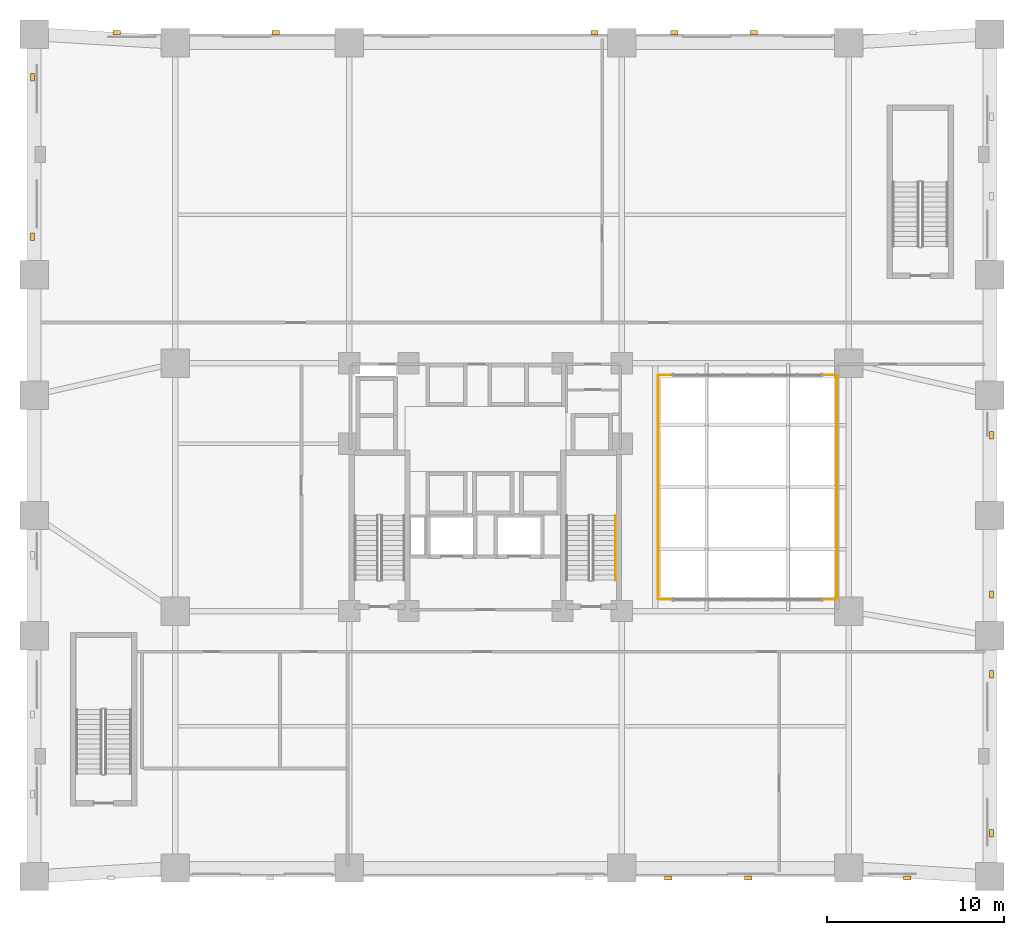
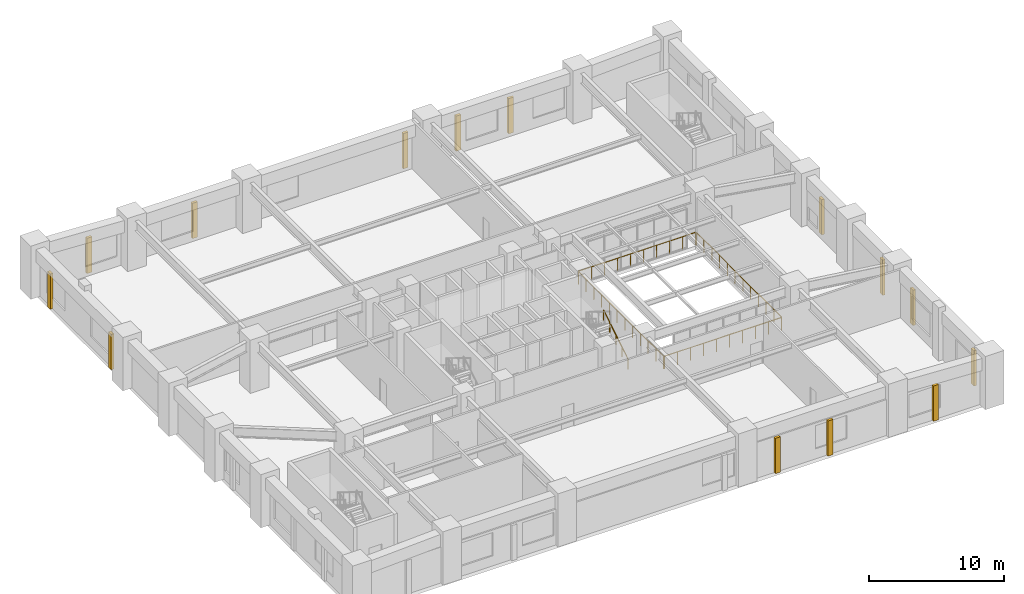
# One storey, part 10 of 11: 14 coverings, 5 railings.
"""IFC4 building model written with IfcOpenShell, lengths in metres."""

import ifcopenshell
import ifcopenshell.guid

model = None  # the IFC model being written
_history = None  # IfcOwnerHistory: only IFC2X3 demands one
_inside = {}  # id of a spatial element -> (the spatial element, [elements in it])
_under = {}  # id of a project, library or spatial element -> (it, [spatial elements below it])
_declared = {}  # id of a project -> (the project, [libraries it declares])
_typed = {}  # id of a type object -> (the type object, [elements of that type])
_made_of = {}  # id of a material, layer set ... -> (it, [elements and type objects made of it])


def new_model(schema):
    """Start an empty IFC model of exactly this schema.

    Asked for "IFC4X3", IfcOpenShell would pick the latest addendum, in which some entities
    have other attributes; the version numbers below select the first issue.
    IFC2X3 requires an IfcOwnerHistory on every rooted entity: one is made here for all.
    """
    global model, _history
    if schema == "IFC4X3":
        model = ifcopenshell.file(schema_version=(4, 3, 0, 0))
    else:
        model = ifcopenshell.file(schema=schema)
    _inside.clear()
    _under.clear()
    _declared.clear()
    _typed.clear()
    _made_of.clear()
    _history = None
    if model.schema == "IFC2X3":
        org = make("IfcOrganization", Name="unknown")
        user = make(
            "IfcPersonAndOrganization",
            ThePerson=make("IfcPerson", FamilyName="unknown"),
            TheOrganization=org,
        )
        app = make(
            "IfcApplication",
            ApplicationDeveloper=org,
            Version="unknown",
            ApplicationFullName="unknown",
            ApplicationIdentifier="unknown",
        )
        _history = make(
            "IfcOwnerHistory",
            OwningUser=user,
            OwningApplication=app,
            ChangeAction="ADDED",
            CreationDate=0,
        )
    return model


def make(cls, **values):
    """One entity of the class cls with the attributes given. An attribute that is None is left unset."""
    return model.create_entity(
        cls, **{name: value for name, value in values.items() if value is not None}
    )


def rooted(cls, **values):
    """An entity with a GlobalId (a new one), such as an element, a storey or a relation."""
    return make(cls, GlobalId=ifcopenshell.guid.new(), OwnerHistory=_history, **values)


def si_unit(unit_type, name, prefix=None):
    """IfcSIUnit, for example si_unit("LENGTHUNIT", "METRE", prefix="MILLI")."""
    return make("IfcSIUnit", UnitType=unit_type, Prefix=prefix, Name=name)


def derived_unit(unit_type, elements):
    """IfcDerivedUnit: a product of units, each with its exponent."""
    return make(
        "IfcDerivedUnit",
        Elements=[
            make("IfcDerivedUnitElement", Unit=unit, Exponent=power)
            for unit, power in elements
        ],
        UnitType=unit_type,
    )


def assignment(units):
    """IfcUnitAssignment: the units of a project."""
    return None if units is None else make("IfcUnitAssignment", Units=units)


def point(xyz):
    """IfcCartesianPoint."""
    return None if xyz is None else make("IfcCartesianPoint", Coordinates=xyz)


def direction(xyz):
    """IfcDirection."""
    return None if xyz is None else make("IfcDirection", DirectionRatios=xyz)


def frame(location, z_axis=None, x_axis=None):
    """IfcAxis2Placement3D, a coordinate frame: its origin and axes. An axis left out is left unset."""
    return make(
        "IfcAxis2Placement3D",
        Location=point(location),
        Axis=direction(z_axis),
        RefDirection=direction(x_axis),
    )


def frame_2d(location, x_axis=None):
    """IfcAxis2Placement2D, a coordinate frame in the plane: its origin and x axis."""
    return make(
        "IfcAxis2Placement2D", Location=point(location), RefDirection=direction(x_axis)
    )


def origin():
    """The frame at (0, 0, 0) with its axes left unset."""
    return frame((0.0, 0.0, 0.0))


def origin_2d():
    """The frame at (0, 0) in the plane with its x axis left unset."""
    return frame_2d((0.0, 0.0))


def place(relative_to, where):
    """IfcLocalPlacement: puts the frame where relative to a parent placement (None: the world)."""
    return make(
        "IfcLocalPlacement", PlacementRelTo=relative_to, RelativePlacement=where
    )


def context(
    kind, dimensions, precision=None, world=None, true_north=None, identifier=None
):
    """IfcGeometricRepresentationContext, for example the 3D "Model" context."""
    return make(
        "IfcGeometricRepresentationContext",
        ContextIdentifier=identifier,
        ContextType=kind,
        CoordinateSpaceDimension=dimensions,
        Precision=precision,
        WorldCoordinateSystem=world,
        TrueNorth=true_north,
    )


def subcontext(parent, identifier, kind, view, scale=None):
    """IfcGeometricRepresentationSubContext, for example "Body" below "Model"."""
    return make(
        "IfcGeometricRepresentationSubContext",
        ContextIdentifier=identifier,
        ContextType=kind,
        ParentContext=parent,
        TargetScale=scale,
        TargetView=view,
    )


def project(units=None, contexts=None):
    """IfcProject with its units and contexts."""
    return rooted(
        "IfcProject",
        Name="project",
        RepresentationContexts=contexts,
        UnitsInContext=assignment(units),
    )


def spatial(cls, under=None, at=None, **own):
    """A site, building, storey or space (cls), placed at a placement, below another one or the project."""
    s = rooted(cls, ObjectPlacement=at, **own)
    if under is not None:
        _under.setdefault(under.id(), (under, []))[1].append(s)
    return s


def profile(cls, at=None, kind="AREA", **sizes):
    """A parametric profile (cls). Its sizes go by their IFC names, for example OverallWidth=200.0."""
    return make(cls, ProfileType=kind, Position=at, **sizes)


def rectangle(**sizes):
    """IfcRectangleProfileDef."""
    return profile("IfcRectangleProfileDef", **sizes)


def circle(**sizes):
    """IfcCircleProfileDef."""
    return profile("IfcCircleProfileDef", **sizes)


def extrude(swept, where, along, depth):
    """IfcExtrudedAreaSolid: the profile swept, set in the frame where, extruded along a direction by depth."""
    return make(
        "IfcExtrudedAreaSolid",
        SweptArea=swept,
        Position=where,
        ExtrudedDirection=direction(along),
        Depth=depth,
    )


def shape(context_of_items, identifier, shape_type, items):
    """IfcShapeRepresentation: the items that make up one representation, for example the "Body"."""
    return make(
        "IfcShapeRepresentation",
        ContextOfItems=context_of_items,
        RepresentationIdentifier=identifier,
        RepresentationType=shape_type,
        Items=items,
    )


def material(Name=None, Category=None):
    """IfcMaterial."""
    return make("IfcMaterial", Name=Name, Category=Category)


def layer(
    of_material, thickness, ventilated=None, Name=None, Category=None, Priority=None
):
    """IfcMaterialLayer: one layer of a wall or slab, of a material (None: an air gap)."""
    return make(
        "IfcMaterialLayer",
        Material=of_material,
        LayerThickness=thickness,
        IsVentilated=ventilated,
        Name=Name,
        Category=Category,
        Priority=Priority,
    )


def layer_set(layers, Name=None):
    """IfcMaterialLayerSet."""
    return make("IfcMaterialLayerSet", MaterialLayers=layers, LayerSetName=Name)


def made_of(thing, what):
    """Note that an element or type object is made of a material, layer set ...; save() writes the relation."""
    if what is not None:
        _made_of.setdefault(what.id(), (what, []))[1].append(thing)
    return thing


def type_object(cls, material=None, **own):
    """A type object (cls), such as IfcWallType, which elements share."""
    return made_of(rooted(cls, **own), material)


def element(
    cls,
    number,
    at=None,
    inside=None,
    cuts=None,
    type_object=None,
    material=None,
    context=None,
    identifier="Body",
    shape_type=None,
    held_by="IfcProductDefinitionShape",
    body=None,
    shapes=None,
    **own,
):
    """One element of the class cls, such as IfcWall. Its Tag is "e" and its number.

    at: its placement. inside: the storey or other place that contains it. cuts: it is an
    opening in that element (IfcRelVoidsElement). A single representation is given by context,
    identifier, shape_type and body (its items); several are given by shapes. held_by: the class
    of the entity that holds the representations. save() writes the other relations.
    """
    e = rooted(cls, Tag="e%d" % number, ObjectPlacement=at, **own)
    if body is not None:
        shapes = [shape(context, identifier, shape_type, body)]
    if shapes is not None:
        e.Representation = make(held_by, Representations=shapes)
    if inside is not None:
        _inside.setdefault(inside.id(), (inside, []))[1].append(e)
    if cuts is not None:
        rooted(
            "IfcRelVoidsElement", RelatingBuildingElement=cuts, RelatedOpeningElement=e
        )
    if type_object is not None:
        _typed.setdefault(type_object.id(), (type_object, []))[1].append(e)
    return made_of(e, material)


def aggregate(whole, parts):
    """IfcRelAggregates: a whole, such as a stair, and the parts it consists of."""
    return rooted("IfcRelAggregates", RelatingObject=whole, RelatedObjects=parts)


def save(model, path):
    """Write the relations noted so far, then the file.

    IfcRelAggregates (storeys below a building ...), IfcRelContainedInSpatialStructure (elements
    in a storey), IfcRelDefinesByType, IfcRelAssociatesMaterial and IfcRelDeclares: one each for
    every whole, place, type object, material and project.
    """
    for whole, parts in _under.values():
        aggregate(whole, parts)
    for where, things in _inside.values():
        rooted(
            "IfcRelContainedInSpatialStructure",
            RelatedElements=things,
            RelatingStructure=where,
        )
    for kind, things in _typed.values():
        rooted("IfcRelDefinesByType", RelatedObjects=things, RelatingType=kind)
    for what, things in _made_of.values():
        rooted("IfcRelAssociatesMaterial", RelatedObjects=things, RelatingMaterial=what)
    for by, libraries in _declared.values():
        rooted("IfcRelDeclares", RelatingContext=by, RelatedDefinitions=libraries)
    model.write(path)


model = new_model("IFC4")

# Units and contexts
model_context = context("Model", 3, precision=1e-05, world=origin(), true_north=direction((0.0, 1.0)))
body_context = subcontext(model_context, "Body", "Model", "MODEL_VIEW")
ifc_project = project(units=[si_unit("LENGTHUNIT", "METRE"), si_unit("AREAUNIT", "SQUARE_METRE"), si_unit("VOLUMEUNIT", "CUBIC_METRE"), si_unit("PLANEANGLEUNIT", "RADIAN"), si_unit("MASSUNIT", "GRAM", prefix="KILO"), derived_unit("THERMALTRANSMITTANCEUNIT", [(si_unit("MASSUNIT", "GRAM", prefix="KILO"), 1), (si_unit("TIMEUNIT", "SECOND"), -3), (si_unit("THERMODYNAMICTEMPERATUREUNIT", "KELVIN"), -1)])], contexts=[model_context])

# Site, building, storey
site_placement = place(None, origin())
site = spatial("IfcSite", under=ifc_project, at=site_placement, CompositionType="ELEMENT")
building_placement = place(site_placement, origin())
building = spatial("IfcBuilding", under=site, at=building_placement, Name="Korrvale Station Residences", CompositionType="ELEMENT")
storey_placement = place(building_placement, frame((0.0, 0.0, 16.0)))
storey = spatial("IfcBuildingStorey", under=building, at=storey_placement, Name="L03", CompositionType="ELEMENT", Elevation=16.0)

# Coverings
ifc_material_1 = material(Name="Architectural precast concrete C45/55", Category="concrete")
ifc_layer = layer(ifc_material_1, 0.219970703125, Name="Architectural precast concrete C45/55")
ifc_layer_set = layer_set([ifc_layer], Name="Architectural precast concrete C45/55")
covering_type = type_object("IfcCoveringType", Name="COV-PIER-400", PredefinedType="CLADDING", material=ifc_layer_set)
for number, where, z_axis, x_axis, name in (
    (1, (49.340087890625, -0.090087890625, 0.02490234375), (0.0, 0.0, 1.0), (1.0, 0.0, 0.0), "L03 Architectural Precast Facade Pier 01"),
    (2, (40.340087890625, -0.090087890625, 0.02490234375), (0.0, 0.0, 1.0), (1.0, 0.0, 0.0), "L03 Architectural Precast Facade Pier 02"),
    (3, (35.840087890625, -0.090087890625, 0.02490234375), (0.0, 0.0, 1.0), (1.0, 0.0, 0.0), "L03 Architectural Precast Facade Pier 03"),
    (4, (4.659912109375, 47.68994140625, 0.02490234375), (0.0, 0.0, 1.0), (1.0, 0.0, 0.0), "L03 Architectural Precast Facade Pier 07"),
    (5, (13.659912109375, 47.68994140625, 0.02490234375), (0.0, 0.0, 1.0), (1.0, 0.0, 0.0), "L03 Architectural Precast Facade Pier 08"),
    (6, (31.659912109375, 47.68994140625, 0.02490234375), (0.0, 0.0, 1.0), (1.0, 0.0, 0.0), "L03 Architectural Precast Facade Pier 09"),
    (7, (36.159912109375, 47.68994140625, 0.02490234375), (0.0, 0.0, 1.0), (1.0, 0.0, 0.0), "L03 Architectural Precast Facade Pier 10"),
    (8, (40.659912109375, 47.68994140625, 0.02490234375), (0.0, 0.0, 1.0), (1.0, 0.0, 0.0), "L03 Architectural Precast Facade Pier 11"),
    (9, (-0.090087890625, 36.159912109375, 0.02490234375), (0.0, 0.0, 1.0), (0.0, 1.0, 0.0), "L03 Architectural Precast Facade Pier 16"),
    (10, (-0.090087890625, 45.159912109375, 0.02490234375), (0.0, 0.0, 1.0), (0.0, 1.0, 0.0), "L03 Architectural Precast Facade Pier 17"),
    (11, (54.090087890625, 24.93994140625, 0.02490234375), (0.0, 0.0, 1.0), (0.0, 1.0, 0.0), "L03 Architectural Precast Facade Pier 20"),
    (12, (54.090087890625, 15.93994140625, 0.02490234375), (0.0, 0.0, 1.0), (0.0, 1.0, 0.0), "L03 Architectural Precast Facade Pier 21"),
    (13, (54.090087890625, 11.43994140625, 0.02490234375), (0.0, 0.0, 1.0), (0.0, 1.0, 0.0), "L03 Architectural Precast Facade Pier 22"),
    (14, (54.090087890625, 2.43994140625, 0.02490234375), (0.0, 0.0, 1.0), (0.0, 1.0, 0.0), "L03 Architectural Precast Facade Pier 23"),
):
    element("IfcCovering", number, at=place(storey_placement, frame(where, z_axis=z_axis, x_axis=x_axis)), inside=storey, type_object=covering_type, Name=name, PredefinedType="CLADDING", context=body_context, shape_type="SweptSolid", body=[
        extrude(rectangle(XDim=0.419921875, YDim=0.219970703125, at=origin_2d()), origin(), (0.0, 0.0, 1.0), 3.18505859375),
    ])

# Railings
ifc_material_2 = material(Name="Laminated glass and brushed bronze interior atrium balustrade", Category="glass")
railing_type_1 = type_object("IfcRailingType", Name="RLG-ATR-1150", PredefinedType="BALUSTRADE", material=ifc_material_2)
for number, where, name in (
    (15, (35.300048828125, 15.659912109375, 0.0), "L03 Atrium Void Balustrade 1-S"),
    (16, (35.300048828125, 28.340087890625, 0.0), "L03 Atrium Void Balustrade 1-N"),
):
    element("IfcRailing", number, at=place(storey_placement, frame(where)), inside=storey, type_object=railing_type_1, Name=name, PredefinedType="BALUSTRADE", context=body_context, shape_type="SweptSolid", body=[
        extrude(circle(Radius=0.02392578125, at=origin_2d()), frame((0.0, 0.0, 1.1259765625), z_axis=(1.0, 0.0, 0.0), x_axis=(0.0, 1.0, 0.0)), (0.0, 0.0, 1.0), 10.0),
        extrude(circle(Radius=0.02099609375, at=origin_2d()), origin(), (0.0, 0.0, 1.0), 1.101806640625),
        extrude(circle(Radius=0.02099609375, at=origin_2d()), frame((1.111083984375, 0.0, 0.0)), (0.0, 0.0, 1.0), 1.101806640625),
        extrude(circle(Radius=0.02099609375, at=origin_2d()), frame((2.22216796875, 0.0, 0.0)), (0.0, 0.0, 1.0), 1.101806640625),
        extrude(circle(Radius=0.02099609375, at=origin_2d()), frame((3.333251953125, 0.0, 0.0)), (0.0, 0.0, 1.0), 1.101806640625),
        extrude(circle(Radius=0.02099609375, at=origin_2d()), frame((4.4443359375, 0.0, 0.0)), (0.0, 0.0, 1.0), 1.101806640625),
        extrude(circle(Radius=0.02099609375, at=origin_2d()), frame((5.5556640625, 0.0, 0.0)), (0.0, 0.0, 1.0), 1.101806640625),
        extrude(circle(Radius=0.02099609375, at=origin_2d()), frame((6.666748046875, 0.0, 0.0)), (0.0, 0.0, 1.0), 1.101806640625),
        extrude(circle(Radius=0.02099609375, at=origin_2d()), frame((7.77783203125, 0.0, 0.0)), (0.0, 0.0, 1.0), 1.101806640625),
        extrude(circle(Radius=0.02099609375, at=origin_2d()), frame((8.888916015625, 0.0, 0.0)), (0.0, 0.0, 1.0), 1.101806640625),
        extrude(circle(Radius=0.02099609375, at=origin_2d()), frame((10.0, 0.0, 0.0)), (0.0, 0.0, 1.0), 1.101806640625),
    ])
for number, where, name in (
    (17, (35.260009765625, 15.699951171875, 0.0), "L03 Atrium Void Balustrade 1-W"),
    (18, (45.340087890625, 15.699951171875, 0.0), "L03 Atrium Void Balustrade 1-E"),
):
    element("IfcRailing", number, at=place(storey_placement, frame(where)), inside=storey, type_object=railing_type_1, Name=name, PredefinedType="BALUSTRADE", context=body_context, shape_type="SweptSolid", body=[
        extrude(circle(Radius=0.02392578125, at=origin_2d()), frame((0.0, 0.0, 1.1259765625), z_axis=(0.0, 1.0, 0.0), x_axis=(-1.0, 0.0, 0.0)), (0.0, 0.0, 1.0), 12.60009765625),
        extrude(circle(Radius=0.02099609375, at=origin_2d()), origin(), (0.0, 0.0, 1.0), 1.101806640625),
        extrude(circle(Radius=0.02099609375, at=origin_2d()), frame((0.0, 1.1455078125, 0.0)), (0.0, 0.0, 1.0), 1.101806640625),
        extrude(circle(Radius=0.02099609375, at=origin_2d()), frame((0.0, 2.291015625, 0.0)), (0.0, 0.0, 1.0), 1.101806640625),
        extrude(circle(Radius=0.02099609375, at=origin_2d()), frame((0.0, 3.436279296875, 0.0)), (0.0, 0.0, 1.0), 1.101806640625),
        extrude(circle(Radius=0.02099609375, at=origin_2d()), frame((0.0, 4.581787109375, 0.0)), (0.0, 0.0, 1.0), 1.101806640625),
        extrude(circle(Radius=0.02099609375, at=origin_2d()), frame((0.0, 5.727294921875, 0.0)), (0.0, 0.0, 1.0), 1.101806640625),
        extrude(circle(Radius=0.02099609375, at=origin_2d()), frame((0.0, 6.872802734375, 0.0)), (0.0, 0.0, 1.0), 1.101806640625),
        extrude(circle(Radius=0.02099609375, at=origin_2d()), frame((0.0, 8.018310546875, 0.0)), (0.0, 0.0, 1.0), 1.101806640625),
        extrude(circle(Radius=0.02099609375, at=origin_2d()), frame((0.0, 9.163818359375, 0.0)), (0.0, 0.0, 1.0), 1.101806640625),
        extrude(circle(Radius=0.02099609375, at=origin_2d()), frame((0.0, 10.30908203125, 0.0)), (0.0, 0.0, 1.0), 1.101806640625),
        extrude(circle(Radius=0.02099609375, at=origin_2d()), frame((0.0, 11.45458984375, 0.0)), (0.0, 0.0, 1.0), 1.101806640625),
        extrude(circle(Radius=0.02099609375, at=origin_2d()), frame((0.0, 12.60009765625, 0.0)), (0.0, 0.0, 1.0), 1.101806640625),
    ])
ifc_material_3 = material(Name="Brushed stainless-steel continuous stair handrail", Category="steel")
railing_type_2 = type_object("IfcRailingType", Name="RLG-SHND-900", PredefinedType="HANDRAIL", material=ifc_material_3)
railing_placement = place(storey_placement, frame((32.85009765625, 16.75, 0.17138671875)))
element("IfcRailing", 19, at=railing_placement, inside=storey, type_object=railing_type_2, Name="L03 ST-2 stair handrail 1", PredefinedType="HANDRAIL", context=body_context, shape_type="SweptSolid", body=[
    extrude(circle(Radius=0.02392578125, at=origin_2d()), frame((0.0, 0.0, 0.8759765625), z_axis=(0.0, 0.852850264322, 0.5221555579), x_axis=(-1.0, 0.0, 0.0)), (0.0, 0.0, 1.0), 4.267822265625),
    extrude(circle(Radius=0.02099609375, at=origin_2d()), origin(), (0.0, 0.0, 1.0), 0.851806640625),
    extrude(circle(Radius=0.02099609375, at=origin_2d()), frame((0.0, 0.909912109375, 0.55712890625)), (0.0, 0.0, 1.0), 0.851806640625),
    extrude(circle(Radius=0.02099609375, at=origin_2d()), frame((0.0, 1.81982421875, 1.1142578125)), (0.0, 0.0, 1.0), 0.851806640625),
    extrude(circle(Radius=0.02099609375, at=origin_2d()), frame((0.0, 2.72998046875, 1.67138671875)), (0.0, 0.0, 1.0), 0.851806640625),
    extrude(circle(Radius=0.02099609375, at=origin_2d()), frame((0.0, 3.639892578125, 2.228515625)), (0.0, 0.0, 1.0), 0.851806640625),
])

save(model, "model.ifc")
